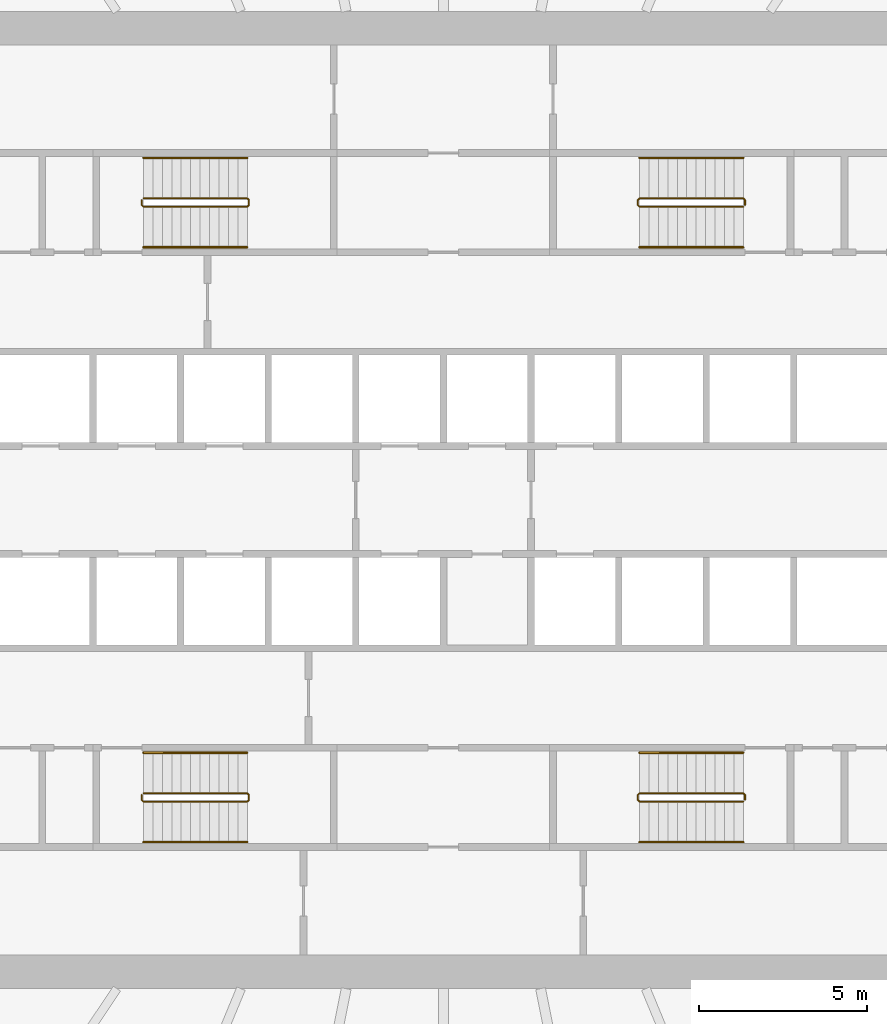
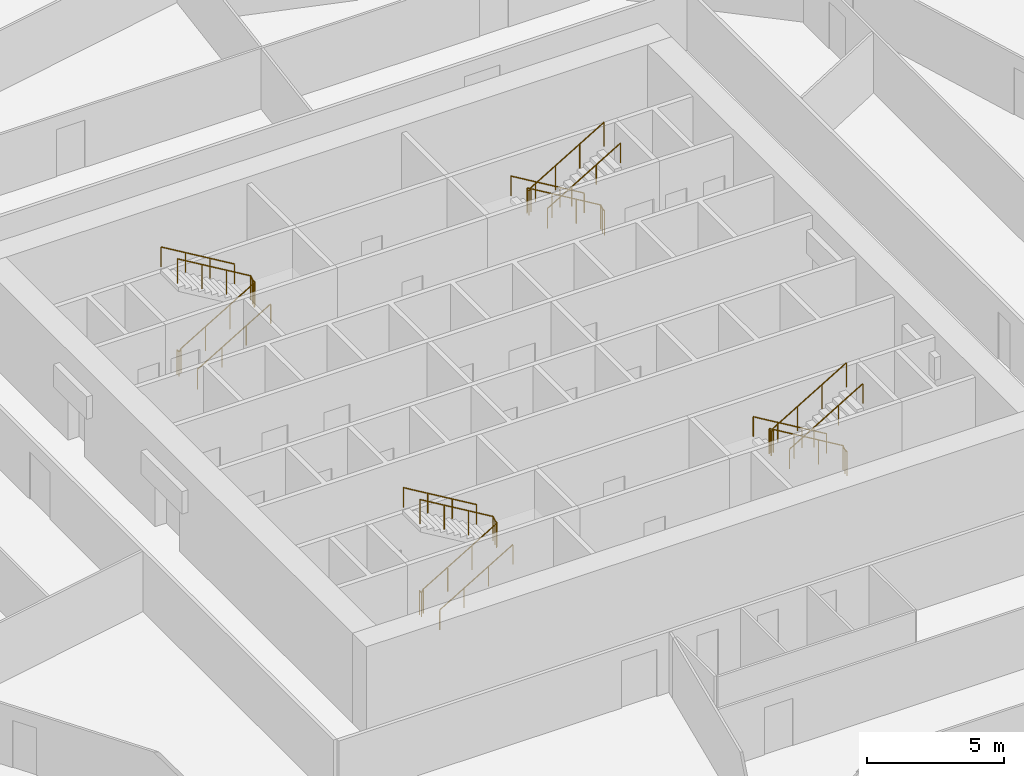
# One storey, part 8 of 8: 12 railings.
"""IFC4 building model written with IfcOpenShell, lengths in metres."""

import ifcopenshell
import ifcopenshell.guid

model = None  # the IFC model being written
_history = None  # IfcOwnerHistory: only IFC2X3 demands one
_inside = {}  # id of a spatial element -> (the spatial element, [elements in it])
_under = {}  # id of a project, library or spatial element -> (it, [spatial elements below it])
_declared = {}  # id of a project -> (the project, [libraries it declares])
_typed = {}  # id of a type object -> (the type object, [elements of that type])
_made_of = {}  # id of a material, layer set ... -> (it, [elements and type objects made of it])


def new_model(schema):
    """Start an empty IFC model of exactly this schema.

    Asked for "IFC4X3", IfcOpenShell would pick the latest addendum, in which some entities
    have other attributes; the version numbers below select the first issue.
    IFC2X3 requires an IfcOwnerHistory on every rooted entity: one is made here for all.
    """
    global model, _history
    if schema == "IFC4X3":
        model = ifcopenshell.file(schema_version=(4, 3, 0, 0))
    else:
        model = ifcopenshell.file(schema=schema)
    _inside.clear()
    _under.clear()
    _declared.clear()
    _typed.clear()
    _made_of.clear()
    _history = None
    if model.schema == "IFC2X3":
        org = make("IfcOrganization", Name="unknown")
        user = make(
            "IfcPersonAndOrganization",
            ThePerson=make("IfcPerson", FamilyName="unknown"),
            TheOrganization=org,
        )
        app = make(
            "IfcApplication",
            ApplicationDeveloper=org,
            Version="unknown",
            ApplicationFullName="unknown",
            ApplicationIdentifier="unknown",
        )
        _history = make(
            "IfcOwnerHistory",
            OwningUser=user,
            OwningApplication=app,
            ChangeAction="ADDED",
            CreationDate=0,
        )
    return model


def make(cls, **values):
    """One entity of the class cls with the attributes given. An attribute that is None is left unset."""
    return model.create_entity(
        cls, **{name: value for name, value in values.items() if value is not None}
    )


def rooted(cls, **values):
    """An entity with a GlobalId (a new one), such as an element, a storey or a relation."""
    return make(cls, GlobalId=ifcopenshell.guid.new(), OwnerHistory=_history, **values)


def si_unit(unit_type, name, prefix=None):
    """IfcSIUnit, for example si_unit("LENGTHUNIT", "METRE", prefix="MILLI")."""
    return make("IfcSIUnit", UnitType=unit_type, Prefix=prefix, Name=name)


def assignment(units):
    """IfcUnitAssignment: the units of a project."""
    return None if units is None else make("IfcUnitAssignment", Units=units)


def point(xyz):
    """IfcCartesianPoint."""
    return None if xyz is None else make("IfcCartesianPoint", Coordinates=xyz)


def direction(xyz):
    """IfcDirection."""
    return None if xyz is None else make("IfcDirection", DirectionRatios=xyz)


def frame(location, z_axis=None, x_axis=None):
    """IfcAxis2Placement3D, a coordinate frame: its origin and axes. An axis left out is left unset."""
    return make(
        "IfcAxis2Placement3D",
        Location=point(location),
        Axis=direction(z_axis),
        RefDirection=direction(x_axis),
    )


def frame_2d(location, x_axis=None):
    """IfcAxis2Placement2D, a coordinate frame in the plane: its origin and x axis."""
    return make(
        "IfcAxis2Placement2D", Location=point(location), RefDirection=direction(x_axis)
    )


def origin():
    """The frame at (0, 0, 0) with its axes left unset."""
    return frame((0.0, 0.0, 0.0))


def origin_2d():
    """The frame at (0, 0) in the plane with its x axis left unset."""
    return frame_2d((0.0, 0.0))


def place(relative_to, where):
    """IfcLocalPlacement: puts the frame where relative to a parent placement (None: the world)."""
    return make(
        "IfcLocalPlacement", PlacementRelTo=relative_to, RelativePlacement=where
    )


def context(
    kind, dimensions, precision=None, world=None, true_north=None, identifier=None
):
    """IfcGeometricRepresentationContext, for example the 3D "Model" context."""
    return make(
        "IfcGeometricRepresentationContext",
        ContextIdentifier=identifier,
        ContextType=kind,
        CoordinateSpaceDimension=dimensions,
        Precision=precision,
        WorldCoordinateSystem=world,
        TrueNorth=true_north,
    )


def subcontext(parent, identifier, kind, view, scale=None):
    """IfcGeometricRepresentationSubContext, for example "Body" below "Model"."""
    return make(
        "IfcGeometricRepresentationSubContext",
        ContextIdentifier=identifier,
        ContextType=kind,
        ParentContext=parent,
        TargetScale=scale,
        TargetView=view,
    )


def project(units=None, contexts=None):
    """IfcProject with its units and contexts."""
    return rooted(
        "IfcProject",
        Name="project",
        RepresentationContexts=contexts,
        UnitsInContext=assignment(units),
    )


def spatial(cls, under=None, at=None, **own):
    """A site, building, storey or space (cls), placed at a placement, below another one or the project."""
    s = rooted(cls, ObjectPlacement=at, **own)
    if under is not None:
        _under.setdefault(under.id(), (under, []))[1].append(s)
    return s


def profile(cls, at=None, kind="AREA", **sizes):
    """A parametric profile (cls). Its sizes go by their IFC names, for example OverallWidth=200.0."""
    return make(cls, ProfileType=kind, Position=at, **sizes)


def circle(**sizes):
    """IfcCircleProfileDef."""
    return profile("IfcCircleProfileDef", **sizes)


def extrude(swept, where, along, depth):
    """IfcExtrudedAreaSolid: the profile swept, set in the frame where, extruded along a direction by depth."""
    return make(
        "IfcExtrudedAreaSolid",
        SweptArea=swept,
        Position=where,
        ExtrudedDirection=direction(along),
        Depth=depth,
    )


def shape(context_of_items, identifier, shape_type, items):
    """IfcShapeRepresentation: the items that make up one representation, for example the "Body"."""
    return make(
        "IfcShapeRepresentation",
        ContextOfItems=context_of_items,
        RepresentationIdentifier=identifier,
        RepresentationType=shape_type,
        Items=items,
    )


def material(Name=None, Category=None):
    """IfcMaterial."""
    return make("IfcMaterial", Name=Name, Category=Category)


def made_of(thing, what):
    """Note that an element or type object is made of a material, layer set ...; save() writes the relation."""
    if what is not None:
        _made_of.setdefault(what.id(), (what, []))[1].append(thing)
    return thing


def type_object(cls, material=None, **own):
    """A type object (cls), such as IfcWallType, which elements share."""
    return made_of(rooted(cls, **own), material)


def element(
    cls,
    number,
    at=None,
    inside=None,
    cuts=None,
    type_object=None,
    material=None,
    context=None,
    identifier="Body",
    shape_type=None,
    held_by="IfcProductDefinitionShape",
    body=None,
    shapes=None,
    **own,
):
    """One element of the class cls, such as IfcWall. Its Tag is "e" and its number.

    at: its placement. inside: the storey or other place that contains it. cuts: it is an
    opening in that element (IfcRelVoidsElement). A single representation is given by context,
    identifier, shape_type and body (its items); several are given by shapes. held_by: the class
    of the entity that holds the representations. save() writes the other relations.
    """
    e = rooted(cls, Tag="e%d" % number, ObjectPlacement=at, **own)
    if body is not None:
        shapes = [shape(context, identifier, shape_type, body)]
    if shapes is not None:
        e.Representation = make(held_by, Representations=shapes)
    if inside is not None:
        _inside.setdefault(inside.id(), (inside, []))[1].append(e)
    if cuts is not None:
        rooted(
            "IfcRelVoidsElement", RelatingBuildingElement=cuts, RelatedOpeningElement=e
        )
    if type_object is not None:
        _typed.setdefault(type_object.id(), (type_object, []))[1].append(e)
    return made_of(e, material)


def aggregate(whole, parts):
    """IfcRelAggregates: a whole, such as a stair, and the parts it consists of."""
    return rooted("IfcRelAggregates", RelatingObject=whole, RelatedObjects=parts)


def save(model, path):
    """Write the relations noted so far, then the file.

    IfcRelAggregates (storeys below a building ...), IfcRelContainedInSpatialStructure (elements
    in a storey), IfcRelDefinesByType, IfcRelAssociatesMaterial and IfcRelDeclares: one each for
    every whole, place, type object, material and project.
    """
    for whole, parts in _under.values():
        aggregate(whole, parts)
    for where, things in _inside.values():
        rooted(
            "IfcRelContainedInSpatialStructure",
            RelatedElements=things,
            RelatingStructure=where,
        )
    for kind, things in _typed.values():
        rooted("IfcRelDefinesByType", RelatedObjects=things, RelatingType=kind)
    for what, things in _made_of.values():
        rooted("IfcRelAssociatesMaterial", RelatedObjects=things, RelatingMaterial=what)
    for by, libraries in _declared.values():
        rooted("IfcRelDeclares", RelatingContext=by, RelatedDefinitions=libraries)
    model.write(path)


model = new_model("IFC4")

# Units and contexts
model_context = context("Model", 3, precision=1e-05, world=origin(), true_north=direction((0.0, 1.0)))
body_context = subcontext(model_context, "Body", "Model", "MODEL_VIEW")
ifc_project = project(units=[si_unit("LENGTHUNIT", "METRE"), si_unit("AREAUNIT", "SQUARE_METRE"), si_unit("VOLUMEUNIT", "CUBIC_METRE"), si_unit("PLANEANGLEUNIT", "RADIAN"), si_unit("MASSUNIT", "GRAM", prefix="KILO")], contexts=[model_context])

# Site, building, storey
site_placement = place(None, origin())
site = spatial("IfcSite", under=ifc_project, at=site_placement, CompositionType="ELEMENT")
building_placement = place(site_placement, origin())
building = spatial("IfcBuilding", under=site, at=building_placement, Name="Corvane Civic Tower", CompositionType="ELEMENT")
storey_placement = place(building_placement, frame((0.0, 0.0, 122.5)))
storey = spatial("IfcBuildingStorey", under=building, at=storey_placement, Name="L28", CompositionType="ELEMENT", Elevation=122.5)

# Railings
ifc_material_1 = material(Name="Steel ASTM A572 Gr 50", Category="steel")
railing_type_1 = type_object("IfcRailingType", Name="ST-GUARD-1100", PredefinedType="GUARDRAIL", material=ifc_material_1)
railing_1_placement = place(storey_placement, frame((8.949951171875, 8.75, 0.0)))
element("IfcRailing", 1, at=railing_1_placement, inside=storey, type_object=railing_type_1, Name="L28 ST1 stair guard 1", PredefinedType="GUARDRAIL", context=body_context, shape_type="SweptSolid", body=[
    extrude(circle(Radius=0.02392578125, at=origin_2d()), frame((0.0, 0.0, 1.076171875), z_axis=(0.0, 1.0, 0.0), x_axis=(-1.0, 0.0, 0.0)), (0.0, 0.0, 1.0), 0.14990234375),
    extrude(circle(Radius=0.02392578125, at=origin_2d()), frame((0.0, 0.14990234375, 1.076171875), z_axis=(-0.27628659633, 0.27628659633, 0.920506074601), x_axis=(-0.707106781187, -0.707106781187, 0.0)), (0.0, 0.0, 1.0), 0.18115234375),
    extrude(circle(Radius=0.02392578125, at=origin_2d()), frame((-0.050048828125, 0.199951171875, 1.24267578125), z_axis=(-0.859290745958, 0.0, 0.51148745235), x_axis=(0.0, -1.0, 0.0)), (0.0, 0.0, 1.0), 3.584228515625),
    extrude(circle(Radius=0.02392578125, at=origin_2d()), frame((-3.1298828125, 0.199951171875, 3.076171875), z_axis=(-0.707106781187, -0.707106781187, 0.0), x_axis=(0.707106781187, -0.707106781187, 0.0)), (0.0, 0.0, 1.0), 0.07080078125),
    extrude(circle(Radius=0.02392578125, at=origin_2d()), frame((-3.179931640625, 0.14990234375, 3.076171875), z_axis=(0.0, -1.0, 0.0), x_axis=(1.0, 0.0, 0.0)), (0.0, 0.0, 1.0), 0.14990234375),
    extrude(circle(Radius=0.02392578125, at=origin_2d()), frame((-3.179931640625, 0.0, 3.076171875), z_axis=(0.27628659633, -0.27628659633, 0.920506074601), x_axis=(0.707106781187, 0.707106781187, 0.0)), (0.0, 0.0, 1.0), 0.18115234375),
    extrude(circle(Radius=0.02392578125, at=origin_2d()), frame((-3.1298828125, -0.050048828125, 3.24267578125), z_axis=(0.859290745958, 0.0, 0.51148745235), x_axis=(0.0, 1.0, 0.0)), (0.0, 0.0, 1.0), 3.584228515625),
    extrude(circle(Radius=0.02099609375, at=origin_2d()), origin(), (0.0, 0.0, 1.0), 1.052001953125),
    extrude(circle(Radius=0.02099609375, at=origin_2d()), frame((0.0, 0.14990234375, 0.0)), (0.0, 0.0, 1.0), 1.052001953125),
    extrude(circle(Radius=0.02099609375, at=origin_2d()), frame((-0.050048828125, 0.199951171875, 0.166748046875)), (0.0, 0.0, 1.0), 1.052001953125),
    extrude(circle(Radius=0.02099609375, at=origin_2d()), frame((-1.07666015625, 0.199951171875, 0.77783203125)), (0.0, 0.0, 1.0), 1.052001953125),
    extrude(circle(Radius=0.02099609375, at=origin_2d()), frame((-2.103271484375, 0.199951171875, 1.388916015625)), (0.0, 0.0, 1.0), 1.052001953125),
    extrude(circle(Radius=0.02099609375, at=origin_2d()), frame((-3.1298828125, 0.199951171875, 2.0)), (0.0, 0.0, 1.0), 1.052001953125),
    extrude(circle(Radius=0.02099609375, at=origin_2d()), frame((-3.179931640625, 0.14990234375, 2.0)), (0.0, 0.0, 1.0), 1.052001953125),
    extrude(circle(Radius=0.02099609375, at=origin_2d()), frame((-3.179931640625, 0.0, 2.0)), (0.0, 0.0, 1.0), 1.052001953125),
    extrude(circle(Radius=0.02099609375, at=origin_2d()), frame((-3.1298828125, -0.050048828125, 2.166748046875)), (0.0, 0.0, 1.0), 1.052001953125),
    extrude(circle(Radius=0.02099609375, at=origin_2d()), frame((-2.103271484375, -0.050048828125, 2.77783203125)), (0.0, 0.0, 1.0), 1.052001953125),
    extrude(circle(Radius=0.02099609375, at=origin_2d()), frame((-1.07666015625, -0.050048828125, 3.388916015625)), (0.0, 0.0, 1.0), 1.052001953125),
    extrude(circle(Radius=0.02099609375, at=origin_2d()), frame((-0.050048828125, -0.050048828125, 4.0)), (0.0, 0.0, 1.0), 1.052001953125),
])
railing_2_placement = place(storey_placement, frame((8.949951171875, -8.89990234375, 0.0)))
element("IfcRailing", 2, at=railing_2_placement, inside=storey, type_object=railing_type_1, Name="L28 ST2 stair guard 1", PredefinedType="GUARDRAIL", context=body_context, shape_type="SweptSolid", body=[
    extrude(circle(Radius=0.02392578125, at=origin_2d()), frame((0.0, 0.0, 1.076171875), z_axis=(0.0, 1.0, 0.0), x_axis=(-1.0, 0.0, 0.0)), (0.0, 0.0, 1.0), 0.14990234375),
    extrude(circle(Radius=0.02392578125, at=origin_2d()), frame((0.0, 0.14990234375, 1.076171875), z_axis=(-0.27628659633, 0.27628659633, 0.920506074601), x_axis=(-0.707106781187, -0.707106781187, 0.0)), (0.0, 0.0, 1.0), 0.18115234375),
    extrude(circle(Radius=0.02392578125, at=origin_2d()), frame((-0.050048828125, 0.199951171875, 1.24267578125), z_axis=(-0.859290745958, 0.0, 0.51148745235), x_axis=(0.0, -1.0, 0.0)), (0.0, 0.0, 1.0), 3.584228515625),
    extrude(circle(Radius=0.02392578125, at=origin_2d()), frame((-3.1298828125, 0.199951171875, 3.076171875), z_axis=(-0.707106781187, -0.707106781187, 0.0), x_axis=(0.707106781187, -0.707106781187, 0.0)), (0.0, 0.0, 1.0), 0.07080078125),
    extrude(circle(Radius=0.02392578125, at=origin_2d()), frame((-3.179931640625, 0.14990234375, 3.076171875), z_axis=(0.0, -1.0, 0.0), x_axis=(1.0, 0.0, 0.0)), (0.0, 0.0, 1.0), 0.14990234375),
    extrude(circle(Radius=0.02392578125, at=origin_2d()), frame((-3.179931640625, 0.0, 3.076171875), z_axis=(0.27628659633, -0.27628659633, 0.920506074601), x_axis=(0.707106781187, 0.707106781187, 0.0)), (0.0, 0.0, 1.0), 0.18115234375),
    extrude(circle(Radius=0.02392578125, at=origin_2d()), frame((-3.1298828125, -0.050048828125, 3.24267578125), z_axis=(0.859290745958, 0.0, 0.51148745235), x_axis=(0.0, 1.0, 0.0)), (0.0, 0.0, 1.0), 3.584228515625),
    extrude(circle(Radius=0.02099609375, at=origin_2d()), origin(), (0.0, 0.0, 1.0), 1.052001953125),
    extrude(circle(Radius=0.02099609375, at=origin_2d()), frame((0.0, 0.14990234375, 0.0)), (0.0, 0.0, 1.0), 1.052001953125),
    extrude(circle(Radius=0.02099609375, at=origin_2d()), frame((-0.050048828125, 0.199951171875, 0.166748046875)), (0.0, 0.0, 1.0), 1.052001953125),
    extrude(circle(Radius=0.02099609375, at=origin_2d()), frame((-1.07666015625, 0.199951171875, 0.77783203125)), (0.0, 0.0, 1.0), 1.052001953125),
    extrude(circle(Radius=0.02099609375, at=origin_2d()), frame((-2.103271484375, 0.199951171875, 1.388916015625)), (0.0, 0.0, 1.0), 1.052001953125),
    extrude(circle(Radius=0.02099609375, at=origin_2d()), frame((-3.1298828125, 0.199951171875, 2.0)), (0.0, 0.0, 1.0), 1.052001953125),
    extrude(circle(Radius=0.02099609375, at=origin_2d()), frame((-3.179931640625, 0.14990234375, 2.0)), (0.0, 0.0, 1.0), 1.052001953125),
    extrude(circle(Radius=0.02099609375, at=origin_2d()), frame((-3.179931640625, 0.0, 2.0)), (0.0, 0.0, 1.0), 1.052001953125),
    extrude(circle(Radius=0.02099609375, at=origin_2d()), frame((-3.1298828125, -0.050048828125, 2.166748046875)), (0.0, 0.0, 1.0), 1.052001953125),
    extrude(circle(Radius=0.02099609375, at=origin_2d()), frame((-2.103271484375, -0.050048828125, 2.77783203125)), (0.0, 0.0, 1.0), 1.052001953125),
    extrude(circle(Radius=0.02099609375, at=origin_2d()), frame((-1.07666015625, -0.050048828125, 3.388916015625)), (0.0, 0.0, 1.0), 1.052001953125),
    extrude(circle(Radius=0.02099609375, at=origin_2d()), frame((-0.050048828125, -0.050048828125, 4.0)), (0.0, 0.0, 1.0), 1.052001953125),
])
railing_3_placement = place(storey_placement, frame((-8.949951171875, -8.75, 0.0)))
element("IfcRailing", 3, at=railing_3_placement, inside=storey, type_object=railing_type_1, Name="L28 ST3 stair guard 1", PredefinedType="GUARDRAIL", context=body_context, shape_type="SweptSolid", body=[
    extrude(circle(Radius=0.02392578125, at=origin_2d()), frame((0.0, 0.0, 1.076171875), z_axis=(0.0, -1.0, 0.0), x_axis=(1.0, 0.0, 0.0)), (0.0, 0.0, 1.0), 0.14990234375),
    extrude(circle(Radius=0.02392578125, at=origin_2d()), frame((0.0, -0.14990234375, 1.076171875), z_axis=(0.27628659633, -0.27628659633, 0.920506074601), x_axis=(0.707106781187, 0.707106781187, 0.0)), (0.0, 0.0, 1.0), 0.18115234375),
    extrude(circle(Radius=0.02392578125, at=origin_2d()), frame((0.050048828125, -0.199951171875, 1.24267578125), z_axis=(0.859290745958, 0.0, 0.51148745235), x_axis=(0.0, 1.0, 0.0)), (0.0, 0.0, 1.0), 3.584228515625),
    extrude(circle(Radius=0.02392578125, at=origin_2d()), frame((3.1298828125, -0.199951171875, 3.076171875), z_axis=(0.707106781187, 0.707106781187, 0.0), x_axis=(-0.707106781187, 0.707106781187, 0.0)), (0.0, 0.0, 1.0), 0.07080078125),
    extrude(circle(Radius=0.02392578125, at=origin_2d()), frame((3.179931640625, -0.14990234375, 3.076171875), z_axis=(0.0, 1.0, 0.0), x_axis=(-1.0, 0.0, 0.0)), (0.0, 0.0, 1.0), 0.14990234375),
    extrude(circle(Radius=0.02392578125, at=origin_2d()), frame((3.179931640625, 0.0, 3.076171875), z_axis=(-0.27628659633, 0.27628659633, 0.920506074601), x_axis=(-0.707106781187, -0.707106781187, 0.0)), (0.0, 0.0, 1.0), 0.18115234375),
    extrude(circle(Radius=0.02392578125, at=origin_2d()), frame((3.1298828125, 0.050048828125, 3.24267578125), z_axis=(-0.859290745958, 0.0, 0.51148745235), x_axis=(0.0, -1.0, 0.0)), (0.0, 0.0, 1.0), 3.584228515625),
    extrude(circle(Radius=0.02099609375, at=origin_2d()), origin(), (0.0, 0.0, 1.0), 1.052001953125),
    extrude(circle(Radius=0.02099609375, at=origin_2d()), frame((0.0, -0.14990234375, 0.0)), (0.0, 0.0, 1.0), 1.052001953125),
    extrude(circle(Radius=0.02099609375, at=origin_2d()), frame((0.050048828125, -0.199951171875, 0.166748046875)), (0.0, 0.0, 1.0), 1.052001953125),
    extrude(circle(Radius=0.02099609375, at=origin_2d()), frame((1.07666015625, -0.199951171875, 0.77783203125)), (0.0, 0.0, 1.0), 1.052001953125),
    extrude(circle(Radius=0.02099609375, at=origin_2d()), frame((2.103271484375, -0.199951171875, 1.388916015625)), (0.0, 0.0, 1.0), 1.052001953125),
    extrude(circle(Radius=0.02099609375, at=origin_2d()), frame((3.1298828125, -0.199951171875, 2.0)), (0.0, 0.0, 1.0), 1.052001953125),
    extrude(circle(Radius=0.02099609375, at=origin_2d()), frame((3.179931640625, -0.14990234375, 2.0)), (0.0, 0.0, 1.0), 1.052001953125),
    extrude(circle(Radius=0.02099609375, at=origin_2d()), frame((3.179931640625, 0.0, 2.0)), (0.0, 0.0, 1.0), 1.052001953125),
    extrude(circle(Radius=0.02099609375, at=origin_2d()), frame((3.1298828125, 0.050048828125, 2.166748046875)), (0.0, 0.0, 1.0), 1.052001953125),
    extrude(circle(Radius=0.02099609375, at=origin_2d()), frame((2.103271484375, 0.050048828125, 2.77783203125)), (0.0, 0.0, 1.0), 1.052001953125),
    extrude(circle(Radius=0.02099609375, at=origin_2d()), frame((1.07666015625, 0.050048828125, 3.388916015625)), (0.0, 0.0, 1.0), 1.052001953125),
    extrude(circle(Radius=0.02099609375, at=origin_2d()), frame((0.050048828125, 0.050048828125, 4.0)), (0.0, 0.0, 1.0), 1.052001953125),
])
railing_4_placement = place(storey_placement, frame((-8.949951171875, 8.89990234375, 0.0)))
element("IfcRailing", 4, at=railing_4_placement, inside=storey, type_object=railing_type_1, Name="L28 ST4 stair guard 1", PredefinedType="GUARDRAIL", context=body_context, shape_type="SweptSolid", body=[
    extrude(circle(Radius=0.02392578125, at=origin_2d()), frame((0.0, 0.0, 1.076171875), z_axis=(0.0, -1.0, 0.0), x_axis=(1.0, 0.0, 0.0)), (0.0, 0.0, 1.0), 0.14990234375),
    extrude(circle(Radius=0.02392578125, at=origin_2d()), frame((0.0, -0.14990234375, 1.076171875), z_axis=(0.27628659633, -0.27628659633, 0.920506074601), x_axis=(0.707106781187, 0.707106781187, 0.0)), (0.0, 0.0, 1.0), 0.18115234375),
    extrude(circle(Radius=0.02392578125, at=origin_2d()), frame((0.050048828125, -0.199951171875, 1.24267578125), z_axis=(0.859290745958, 0.0, 0.51148745235), x_axis=(0.0, 1.0, 0.0)), (0.0, 0.0, 1.0), 3.584228515625),
    extrude(circle(Radius=0.02392578125, at=origin_2d()), frame((3.1298828125, -0.199951171875, 3.076171875), z_axis=(0.707106781187, 0.707106781187, 0.0), x_axis=(-0.707106781187, 0.707106781187, 0.0)), (0.0, 0.0, 1.0), 0.07080078125),
    extrude(circle(Radius=0.02392578125, at=origin_2d()), frame((3.179931640625, -0.14990234375, 3.076171875), z_axis=(0.0, 1.0, 0.0), x_axis=(-1.0, 0.0, 0.0)), (0.0, 0.0, 1.0), 0.14990234375),
    extrude(circle(Radius=0.02392578125, at=origin_2d()), frame((3.179931640625, 0.0, 3.076171875), z_axis=(-0.27628659633, 0.27628659633, 0.920506074601), x_axis=(-0.707106781187, -0.707106781187, 0.0)), (0.0, 0.0, 1.0), 0.18115234375),
    extrude(circle(Radius=0.02392578125, at=origin_2d()), frame((3.1298828125, 0.050048828125, 3.24267578125), z_axis=(-0.859290745958, 0.0, 0.51148745235), x_axis=(0.0, -1.0, 0.0)), (0.0, 0.0, 1.0), 3.584228515625),
    extrude(circle(Radius=0.02099609375, at=origin_2d()), origin(), (0.0, 0.0, 1.0), 1.052001953125),
    extrude(circle(Radius=0.02099609375, at=origin_2d()), frame((0.0, -0.14990234375, 0.0)), (0.0, 0.0, 1.0), 1.052001953125),
    extrude(circle(Radius=0.02099609375, at=origin_2d()), frame((0.050048828125, -0.199951171875, 0.166748046875)), (0.0, 0.0, 1.0), 1.052001953125),
    extrude(circle(Radius=0.02099609375, at=origin_2d()), frame((1.07666015625, -0.199951171875, 0.77783203125)), (0.0, 0.0, 1.0), 1.052001953125),
    extrude(circle(Radius=0.02099609375, at=origin_2d()), frame((2.103271484375, -0.199951171875, 1.388916015625)), (0.0, 0.0, 1.0), 1.052001953125),
    extrude(circle(Radius=0.02099609375, at=origin_2d()), frame((3.1298828125, -0.199951171875, 2.0)), (0.0, 0.0, 1.0), 1.052001953125),
    extrude(circle(Radius=0.02099609375, at=origin_2d()), frame((3.179931640625, -0.14990234375, 2.0)), (0.0, 0.0, 1.0), 1.052001953125),
    extrude(circle(Radius=0.02099609375, at=origin_2d()), frame((3.179931640625, 0.0, 2.0)), (0.0, 0.0, 1.0), 1.052001953125),
    extrude(circle(Radius=0.02099609375, at=origin_2d()), frame((3.1298828125, 0.050048828125, 2.166748046875)), (0.0, 0.0, 1.0), 1.052001953125),
    extrude(circle(Radius=0.02099609375, at=origin_2d()), frame((2.103271484375, 0.050048828125, 2.77783203125)), (0.0, 0.0, 1.0), 1.052001953125),
    extrude(circle(Radius=0.02099609375, at=origin_2d()), frame((1.07666015625, 0.050048828125, 3.388916015625)), (0.0, 0.0, 1.0), 1.052001953125),
    extrude(circle(Radius=0.02099609375, at=origin_2d()), frame((0.050048828125, 0.050048828125, 4.0)), (0.0, 0.0, 1.0), 1.052001953125),
])
ifc_material_2 = material(Name="Steel ASTM A572 Gr 50", Category="steel")
railing_type_2 = type_object("IfcRailingType", Name="ST-HANDRAIL-900", PredefinedType="HANDRAIL", material=ifc_material_2)
railing_5_placement = place(storey_placement, frame((8.89990234375, 10.14990234375, 0.166748046875)))
element("IfcRailing", 5, at=railing_5_placement, inside=storey, type_object=railing_type_2, Name="L28 ST1 stair handrail 1", PredefinedType="HANDRAIL", context=body_context, shape_type="SweptSolid", body=[
    extrude(circle(Radius=0.02392578125, at=origin_2d()), frame((0.0, 0.0, 0.8759765625), z_axis=(-0.859290745958, 0.0, 0.51148745235), x_axis=(0.0, -1.0, 0.0)), (0.0, 0.0, 1.0), 3.584228515625),
    extrude(circle(Radius=0.02099609375, at=origin_2d()), origin(), (0.0, 0.0, 1.0), 0.851806640625),
    extrude(circle(Radius=0.02099609375, at=origin_2d()), frame((-1.026611328125, 0.0, 0.611083984375)), (0.0, 0.0, 1.0), 0.851806640625),
    extrude(circle(Radius=0.02099609375, at=origin_2d()), frame((-2.05322265625, 0.0, 1.22216796875)), (0.0, 0.0, 1.0), 0.851806640625),
    extrude(circle(Radius=0.02099609375, at=origin_2d()), frame((-3.079833984375, 0.0, 1.833251953125)), (0.0, 0.0, 1.0), 0.851806640625),
])
railing_6_placement = place(storey_placement, frame((5.820068359375, 7.5, 2.166748046875)))
element("IfcRailing", 6, at=railing_6_placement, inside=storey, type_object=railing_type_2, Name="L28 ST1 stair handrail 2", PredefinedType="HANDRAIL", context=body_context, shape_type="SweptSolid", body=[
    extrude(circle(Radius=0.02392578125, at=origin_2d()), frame((0.0, 0.0, 0.8759765625), z_axis=(0.859290745958, 0.0, 0.51148745235), x_axis=(0.0, 1.0, 0.0)), (0.0, 0.0, 1.0), 3.584228515625),
    extrude(circle(Radius=0.02099609375, at=origin_2d()), origin(), (0.0, 0.0, 1.0), 0.851806640625),
    extrude(circle(Radius=0.02099609375, at=origin_2d()), frame((1.026611328125, 0.0, 0.611083984375)), (0.0, 0.0, 1.0), 0.851806640625),
    extrude(circle(Radius=0.02099609375, at=origin_2d()), frame((2.05322265625, 0.0, 1.22216796875)), (0.0, 0.0, 1.0), 0.851806640625),
    extrude(circle(Radius=0.02099609375, at=origin_2d()), frame((3.079833984375, 0.0, 1.833251953125)), (0.0, 0.0, 1.0), 0.851806640625),
])
railing_7_placement = place(storey_placement, frame((8.89990234375, -7.5, 0.166748046875)))
element("IfcRailing", 7, at=railing_7_placement, inside=storey, type_object=railing_type_2, Name="L28 ST2 stair handrail 1", PredefinedType="HANDRAIL", context=body_context, shape_type="SweptSolid", body=[
    extrude(circle(Radius=0.02392578125, at=origin_2d()), frame((0.0, 0.0, 0.8759765625), z_axis=(-0.859290745958, 0.0, 0.51148745235), x_axis=(0.0, -1.0, 0.0)), (0.0, 0.0, 1.0), 3.584228515625),
    extrude(circle(Radius=0.02099609375, at=origin_2d()), origin(), (0.0, 0.0, 1.0), 0.851806640625),
    extrude(circle(Radius=0.02099609375, at=origin_2d()), frame((-1.026611328125, 0.0, 0.611083984375)), (0.0, 0.0, 1.0), 0.851806640625),
    extrude(circle(Radius=0.02099609375, at=origin_2d()), frame((-2.05322265625, 0.0, 1.22216796875)), (0.0, 0.0, 1.0), 0.851806640625),
    extrude(circle(Radius=0.02099609375, at=origin_2d()), frame((-3.079833984375, 0.0, 1.833251953125)), (0.0, 0.0, 1.0), 0.851806640625),
])
for number, where, name in (
    (8, (5.820068359375, -10.14990234375, 2.166748046875), "L28 ST2 stair handrail 2"),
    (9, (-8.89990234375, -10.14990234375, 0.166748046875), "L28 ST3 stair handrail 1"),
):
    element("IfcRailing", number, at=place(storey_placement, frame(where)), inside=storey, type_object=railing_type_2, Name=name, PredefinedType="HANDRAIL", context=body_context, shape_type="SweptSolid", body=[
        extrude(circle(Radius=0.02392578125, at=origin_2d()), frame((0.0, 0.0, 0.8759765625), z_axis=(0.859290745958, 0.0, 0.51148745235), x_axis=(0.0, 1.0, 0.0)), (0.0, 0.0, 1.0), 3.584228515625),
        extrude(circle(Radius=0.02099609375, at=origin_2d()), origin(), (0.0, 0.0, 1.0), 0.851806640625),
        extrude(circle(Radius=0.02099609375, at=origin_2d()), frame((1.026611328125, 0.0, 0.611083984375)), (0.0, 0.0, 1.0), 0.851806640625),
        extrude(circle(Radius=0.02099609375, at=origin_2d()), frame((2.05322265625, 0.0, 1.22216796875)), (0.0, 0.0, 1.0), 0.851806640625),
        extrude(circle(Radius=0.02099609375, at=origin_2d()), frame((3.079833984375, 0.0, 1.833251953125)), (0.0, 0.0, 1.0), 0.851806640625),
    ])
railing_8_placement = place(storey_placement, frame((-5.820068359375, -7.5, 2.166748046875)))
element("IfcRailing", 10, at=railing_8_placement, inside=storey, type_object=railing_type_2, Name="L28 ST3 stair handrail 2", PredefinedType="HANDRAIL", context=body_context, shape_type="SweptSolid", body=[
    extrude(circle(Radius=0.02392578125, at=origin_2d()), frame((0.0, 0.0, 0.8759765625), z_axis=(-0.859290745958, 0.0, 0.51148745235), x_axis=(0.0, -1.0, 0.0)), (0.0, 0.0, 1.0), 3.584228515625),
    extrude(circle(Radius=0.02099609375, at=origin_2d()), origin(), (0.0, 0.0, 1.0), 0.851806640625),
    extrude(circle(Radius=0.02099609375, at=origin_2d()), frame((-1.026611328125, 0.0, 0.611083984375)), (0.0, 0.0, 1.0), 0.851806640625),
    extrude(circle(Radius=0.02099609375, at=origin_2d()), frame((-2.05322265625, 0.0, 1.22216796875)), (0.0, 0.0, 1.0), 0.851806640625),
    extrude(circle(Radius=0.02099609375, at=origin_2d()), frame((-3.079833984375, 0.0, 1.833251953125)), (0.0, 0.0, 1.0), 0.851806640625),
])
railing_9_placement = place(storey_placement, frame((-8.89990234375, 7.5, 0.166748046875)))
element("IfcRailing", 11, at=railing_9_placement, inside=storey, type_object=railing_type_2, Name="L28 ST4 stair handrail 1", PredefinedType="HANDRAIL", context=body_context, shape_type="SweptSolid", body=[
    extrude(circle(Radius=0.02392578125, at=origin_2d()), frame((0.0, 0.0, 0.8759765625), z_axis=(0.859290745958, 0.0, 0.51148745235), x_axis=(0.0, 1.0, 0.0)), (0.0, 0.0, 1.0), 3.584228515625),
    extrude(circle(Radius=0.02099609375, at=origin_2d()), origin(), (0.0, 0.0, 1.0), 0.851806640625),
    extrude(circle(Radius=0.02099609375, at=origin_2d()), frame((1.026611328125, 0.0, 0.611083984375)), (0.0, 0.0, 1.0), 0.851806640625),
    extrude(circle(Radius=0.02099609375, at=origin_2d()), frame((2.05322265625, 0.0, 1.22216796875)), (0.0, 0.0, 1.0), 0.851806640625),
    extrude(circle(Radius=0.02099609375, at=origin_2d()), frame((3.079833984375, 0.0, 1.833251953125)), (0.0, 0.0, 1.0), 0.851806640625),
])
railing_10_placement = place(storey_placement, frame((-5.820068359375, 10.14990234375, 2.166748046875)))
element("IfcRailing", 12, at=railing_10_placement, inside=storey, type_object=railing_type_2, Name="L28 ST4 stair handrail 2", PredefinedType="HANDRAIL", context=body_context, shape_type="SweptSolid", body=[
    extrude(circle(Radius=0.02392578125, at=origin_2d()), frame((0.0, 0.0, 0.8759765625), z_axis=(-0.859290745958, 0.0, 0.51148745235), x_axis=(0.0, -1.0, 0.0)), (0.0, 0.0, 1.0), 3.584228515625),
    extrude(circle(Radius=0.02099609375, at=origin_2d()), origin(), (0.0, 0.0, 1.0), 0.851806640625),
    extrude(circle(Radius=0.02099609375, at=origin_2d()), frame((-1.026611328125, 0.0, 0.611083984375)), (0.0, 0.0, 1.0), 0.851806640625),
    extrude(circle(Radius=0.02099609375, at=origin_2d()), frame((-2.05322265625, 0.0, 1.22216796875)), (0.0, 0.0, 1.0), 0.851806640625),
    extrude(circle(Radius=0.02099609375, at=origin_2d()), frame((-3.079833984375, 0.0, 1.833251953125)), (0.0, 0.0, 1.0), 0.851806640625),
])

save(model, "model.ifc")
